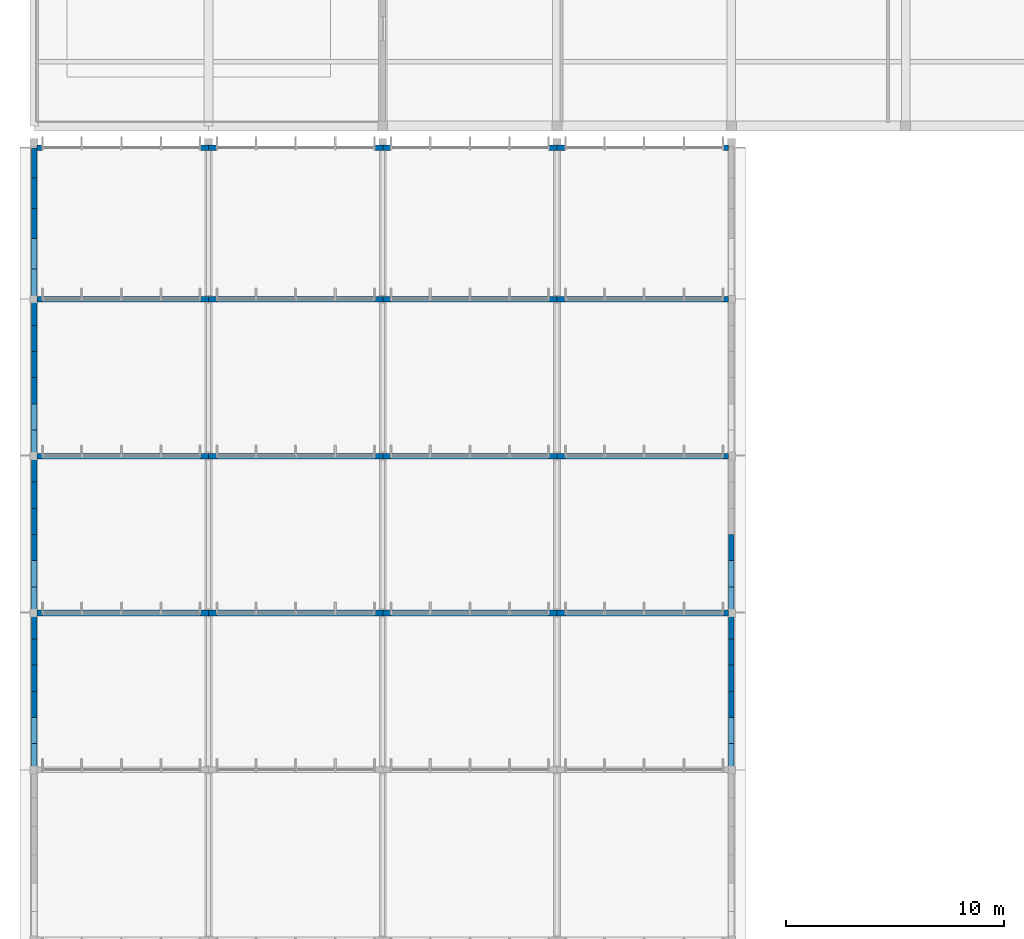
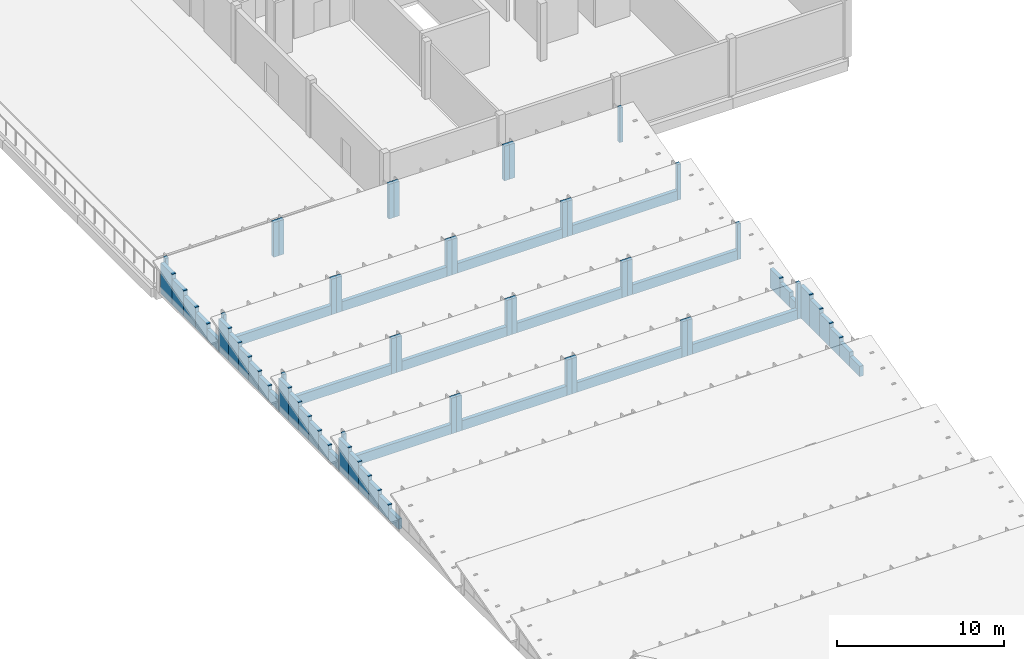
# One storey, part 83 of 94: 76 walls.
"""IFC4 building model written with IfcOpenShell, lengths in metres."""

from ifc_helpers import new_model, si_unit, direction, frame, frame_2d, origin, place, context, subcontext, project, spatial, rectangle, extrude, material, layer, layer_set, type_object, element, save


model = new_model("IFC4")

# Units and contexts
model_context = context("Model", 3, precision=1e-05, world=origin(), true_north=direction((0.0, 1.0)))
body_context = subcontext(model_context, "Body", "Model", "MODEL_VIEW")
ifc_project = project(units=[si_unit("LENGTHUNIT", "METRE"), si_unit("AREAUNIT", "SQUARE_METRE"), si_unit("VOLUMEUNIT", "CUBIC_METRE"), si_unit("PLANEANGLEUNIT", "RADIAN"), si_unit("MASSUNIT", "GRAM", prefix="KILO")], contexts=[model_context])

# Site, building, storey
site_placement = place(None, origin())
site = spatial("IfcSite", under=ifc_project, at=site_placement, CompositionType="ELEMENT")
building_placement = place(site_placement, origin())
building = spatial("IfcBuilding", under=site, at=building_placement, Name="Chiffa Square Polytechnic", CompositionType="ELEMENT")
storey_placement = place(building_placement, frame((0.0, 0.0, 18.0)))
storey = spatial("IfcBuildingStorey", under=building, at=storey_placement, Name="L04", CompositionType="ELEMENT", Elevation=18.0)

# Walls
ifc_material = material(Name="Precast concrete C40/50", Category="concrete")
ifc_layer = layer(ifc_material, 0.260009765625, Name="Precast concrete C40/50")
ifc_layer_set = layer_set([ifc_layer], Name="Precast concrete C40/50")
wall_type = type_object("IfcWallType", Name="WL-EXT-PC260", PredefinedType="SOLIDWALL", material=ifc_layer_set)
wall_1_placement = place(storey_placement, frame((8.0, 72.60009765625, 0.0), z_axis=(0.0, 0.0, 1.0), x_axis=(-1.0, 0.0, 0.0)))
element("IfcWall", 1, at=wall_1_placement, inside=storey, type_object=wall_type, Name="Sawtooth monitor pier WE-V6-SAW5-P1L", PredefinedType="SOLIDWALL", context=body_context, shape_type="SweptSolid", body=[
    extrude(rectangle(XDim=0.360107421875, YDim=0.260009765625, at=frame_2d((0.18017578125, 0.0))), origin(), (0.0, 0.0, 1.0), 2.60888671875),
])
wall_2_placement = place(storey_placement, frame((0.360107421875, 72.60009765625, 0.0), z_axis=(0.0, 0.0, 1.0), x_axis=(-1.0, 0.0, 0.0)))
element("IfcWall", 2, at=wall_2_placement, inside=storey, type_object=wall_type, Name="Sawtooth monitor pier WE-V6-SAW5-P1R", PredefinedType="SOLIDWALL", context=body_context, shape_type="SweptSolid", body=[
    extrude(rectangle(XDim=0.22802734375, YDim=0.260009765625, at=frame_2d((0.114013671875, 0.0))), origin(), (0.0, 0.0, 1.0), 2.60888671875),
])
wall_3_placement = place(storey_placement, frame((0.360107421875, 72.60009765625, 0.0), z_axis=(0.0, 0.0, 1.0), x_axis=(1.0, 0.0, 0.0)))
element("IfcWall", 3, at=wall_3_placement, inside=storey, type_object=wall_type, Name="Sawtooth valley spandrel WE-V6-SAW5-SP1", PredefinedType="SOLIDWALL", context=body_context, shape_type="SweptSolid", body=[
    extrude(rectangle(XDim=7.27978515625, YDim=0.260009765625, at=frame_2d((3.639892578125, 0.0))), origin(), (0.0, 0.0, 1.0), 0.699951171875),
])
for number, where, z_axis, x_axis, name in (
    (4, (16.0, 72.60009765625, 0.0), (0.0, 0.0, 1.0), (-1.0, 0.0, 0.0), "Sawtooth monitor pier WE-V6-SAW5-P2L"),
    (5, (8.360107421875, 72.60009765625, 0.0), (0.0, 0.0, 1.0), (-1.0, 0.0, 0.0), "Sawtooth monitor pier WE-V6-SAW5-P2R"),
):
    element("IfcWall", number, at=place(storey_placement, frame(where, z_axis=z_axis, x_axis=x_axis)), inside=storey, type_object=wall_type, Name=name, PredefinedType="SOLIDWALL", context=body_context, shape_type="SweptSolid", body=[
        extrude(rectangle(XDim=0.360107421875, YDim=0.260009765625, at=frame_2d((0.18017578125, 0.0))), origin(), (0.0, 0.0, 1.0), 2.60888671875),
    ])
wall_4_placement = place(storey_placement, frame((8.360107421875, 72.60009765625, 0.0), z_axis=(0.0, 0.0, 1.0), x_axis=(1.0, 0.0, 0.0)))
element("IfcWall", 6, at=wall_4_placement, inside=storey, type_object=wall_type, Name="Sawtooth valley spandrel WE-V6-SAW5-SP2", PredefinedType="SOLIDWALL", context=body_context, shape_type="SweptSolid", body=[
    extrude(rectangle(XDim=7.27978515625, YDim=0.260009765625, at=frame_2d((3.639892578125, 0.0))), origin(), (0.0, 0.0, 1.0), 0.699951171875),
])
for number, where, z_axis, x_axis, name in (
    (7, (24.0, 72.60009765625, 0.0), (0.0, 0.0, 1.0), (-1.0, 0.0, 0.0), "Sawtooth monitor pier WE-V6-SAW5-P3L"),
    (8, (16.360107421875, 72.60009765625, 0.0), (0.0, 0.0, 1.0), (-1.0, 0.0, 0.0), "Sawtooth monitor pier WE-V6-SAW5-P3R"),
):
    element("IfcWall", number, at=place(storey_placement, frame(where, z_axis=z_axis, x_axis=x_axis)), inside=storey, type_object=wall_type, Name=name, PredefinedType="SOLIDWALL", context=body_context, shape_type="SweptSolid", body=[
        extrude(rectangle(XDim=0.360107421875, YDim=0.260009765625, at=frame_2d((0.18017578125, 0.0))), origin(), (0.0, 0.0, 1.0), 2.60888671875),
    ])
wall_5_placement = place(storey_placement, frame((16.360107421875, 72.60009765625, 0.0), z_axis=(0.0, 0.0, 1.0), x_axis=(1.0, 0.0, 0.0)))
element("IfcWall", 9, at=wall_5_placement, inside=storey, type_object=wall_type, Name="Sawtooth valley spandrel WE-V6-SAW5-SP3", PredefinedType="SOLIDWALL", context=body_context, shape_type="SweptSolid", body=[
    extrude(rectangle(XDim=7.27978515625, YDim=0.260009765625, at=frame_2d((3.639892578125, 0.0))), origin(), (0.0, 0.0, 1.0), 0.699951171875),
])
wall_6_placement = place(storey_placement, frame((31.867919921875, 72.60009765625, 0.0), z_axis=(0.0, 0.0, 1.0), x_axis=(-1.0, 0.0, 0.0)))
element("IfcWall", 10, at=wall_6_placement, inside=storey, type_object=wall_type, Name="Sawtooth monitor pier WE-V6-SAW5-P4L", PredefinedType="SOLIDWALL", context=body_context, shape_type="SweptSolid", body=[
    extrude(rectangle(XDim=0.22802734375, YDim=0.260009765625, at=frame_2d((0.114013671875, 0.0))), origin(), (0.0, 0.0, 1.0), 2.60888671875),
])
wall_7_placement = place(storey_placement, frame((24.360107421875, 72.60009765625, 0.0), z_axis=(0.0, 0.0, 1.0), x_axis=(-1.0, 0.0, 0.0)))
element("IfcWall", 11, at=wall_7_placement, inside=storey, type_object=wall_type, Name="Sawtooth monitor pier WE-V6-SAW5-P4R", PredefinedType="SOLIDWALL", context=body_context, shape_type="SweptSolid", body=[
    extrude(rectangle(XDim=0.360107421875, YDim=0.260009765625, at=frame_2d((0.18017578125, 0.0))), origin(), (0.0, 0.0, 1.0), 2.60888671875),
])
wall_8_placement = place(storey_placement, frame((24.360107421875, 72.60009765625, 0.0), z_axis=(0.0, 0.0, 1.0), x_axis=(1.0, 0.0, 0.0)))
element("IfcWall", 12, at=wall_8_placement, inside=storey, type_object=wall_type, Name="Sawtooth valley spandrel WE-V6-SAW5-SP4", PredefinedType="SOLIDWALL", context=body_context, shape_type="SweptSolid", body=[
    extrude(rectangle(XDim=7.27978515625, YDim=0.260009765625, at=frame_2d((3.639892578125, 0.0))), origin(), (0.0, 0.0, 1.0), 0.699951171875),
])
wall_9_placement = place(storey_placement, frame((0.0, 65.39990234375, 0.0), z_axis=(0.0, 0.0, 1.0), x_axis=(0.0, 1.0, 0.0)))
element("IfcWall", 13, at=wall_9_placement, inside=storey, type_object=wall_type, Name="Stepped gable infill wall WE-V6-SAWW-05-01", PredefinedType="SOLIDWALL", context=body_context, shape_type="SweptSolid", body=[
    extrude(rectangle(XDim=1.2001953125, YDim=0.260009765625, at=frame_2d((0.60009765625, 0.0))), origin(), (0.0, 0.0, 1.0), 0.748046875),
])
wall_10_placement = place(storey_placement, frame((0.0, 66.60009765625, 0.0), z_axis=(0.0, 0.0, 1.0), x_axis=(0.0, 1.0, 0.0)))
element("IfcWall", 14, at=wall_10_placement, inside=storey, type_object=wall_type, Name="Stepped gable infill wall WE-V6-SAWW-05-02", PredefinedType="SOLIDWALL", context=body_context, shape_type="SweptSolid", body=[
    extrude(rectangle(XDim=1.199951171875, YDim=0.260009765625, at=frame_2d((0.60009765625, 0.0))), origin(), (0.0, 0.0, 1.0), 1.070068359375),
])
wall_11_placement = place(storey_placement, frame((0.0, 67.800048828125, 0.0), z_axis=(0.0, 0.0, 1.0), x_axis=(0.0, 1.0, 0.0)))
element("IfcWall", 15, at=wall_11_placement, inside=storey, type_object=wall_type, Name="Stepped gable infill wall WE-V6-SAWW-05-03", PredefinedType="SOLIDWALL", context=body_context, shape_type="SweptSolid", body=[
    extrude(rectangle(XDim=1.199951171875, YDim=0.260009765625, at=frame_2d((0.60009765625, 0.0))), origin(), (0.0, 0.0, 1.0), 1.39111328125),
])
wall_12_placement = place(storey_placement, frame((0.0, 69.0, 0.0), z_axis=(0.0, 0.0, 1.0), x_axis=(0.0, 1.0, 0.0)))
element("IfcWall", 16, at=wall_12_placement, inside=storey, type_object=wall_type, Name="Stepped gable infill wall WE-V6-SAWW-05-04", PredefinedType="SOLIDWALL", context=body_context, shape_type="SweptSolid", body=[
    extrude(rectangle(XDim=1.199951171875, YDim=0.260009765625, at=frame_2d((0.60009765625, 0.0))), origin(), (0.0, 0.0, 1.0), 1.712890625),
])
wall_13_placement = place(storey_placement, frame((0.0, 70.199951171875, 0.0), z_axis=(0.0, 0.0, 1.0), x_axis=(0.0, 1.0, 0.0)))
element("IfcWall", 17, at=wall_13_placement, inside=storey, type_object=wall_type, Name="Stepped gable infill wall WE-V6-SAWW-05-05", PredefinedType="SOLIDWALL", context=body_context, shape_type="SweptSolid", body=[
    extrude(rectangle(XDim=1.199951171875, YDim=0.260009765625, at=frame_2d((0.60009765625, 0.0))), origin(), (0.0, 0.0, 1.0), 2.033935546875),
])
wall_14_placement = place(storey_placement, frame((0.0, 71.39990234375, 0.0), z_axis=(0.0, 0.0, 1.0), x_axis=(0.0, 1.0, 0.0)))
element("IfcWall", 18, at=wall_14_placement, inside=storey, type_object=wall_type, Name="Stepped gable infill wall WE-V6-SAWW-05-06", PredefinedType="SOLIDWALL", context=body_context, shape_type="SweptSolid", body=[
    extrude(rectangle(XDim=1.2001953125, YDim=0.260009765625, at=frame_2d((0.60009765625, 0.0))), origin(), (0.0, 0.0, 1.0), 2.35595703125),
])
wall_15_placement = place(storey_placement, frame((32.0, 65.39990234375, 0.0), z_axis=(0.0, 0.0, 1.0), x_axis=(0.0, 1.0, 0.0)))
element("IfcWall", 19, at=wall_15_placement, inside=storey, type_object=wall_type, Name="Stepped gable infill wall WE-V6-SAWE-05-01", PredefinedType="SOLIDWALL", context=body_context, shape_type="SweptSolid", body=[
    extrude(rectangle(XDim=1.2001953125, YDim=0.260009765625, at=frame_2d((0.60009765625, 0.0))), origin(), (0.0, 0.0, 1.0), 0.748046875),
])
wall_16_placement = place(storey_placement, frame((32.0, 66.60009765625, 0.0), z_axis=(0.0, 0.0, 1.0), x_axis=(0.0, 1.0, 0.0)))
element("IfcWall", 20, at=wall_16_placement, inside=storey, type_object=wall_type, Name="Stepped gable infill wall WE-V6-SAWE-05-02", PredefinedType="SOLIDWALL", context=body_context, shape_type="SweptSolid", body=[
    extrude(rectangle(XDim=1.199951171875, YDim=0.260009765625, at=frame_2d((0.60009765625, 0.0))), origin(), (0.0, 0.0, 1.0), 1.070068359375),
])
wall_17_placement = place(storey_placement, frame((32.0, 67.800048828125, 0.0), z_axis=(0.0, 0.0, 1.0), x_axis=(0.0, 1.0, 0.0)))
element("IfcWall", 21, at=wall_17_placement, inside=storey, type_object=wall_type, Name="Stepped gable infill wall WE-V6-SAWE-05-03", PredefinedType="SOLIDWALL", context=body_context, shape_type="SweptSolid", body=[
    extrude(rectangle(XDim=1.199951171875, YDim=0.260009765625, at=frame_2d((0.60009765625, 0.0))), origin(), (0.0, 0.0, 1.0), 1.39111328125),
])
wall_18_placement = place(storey_placement, frame((32.0, 69.0, 0.0), z_axis=(0.0, 0.0, 1.0), x_axis=(0.0, 1.0, 0.0)))
element("IfcWall", 22, at=wall_18_placement, inside=storey, type_object=wall_type, Name="Stepped gable infill wall WE-V6-SAWE-05-04", PredefinedType="SOLIDWALL", context=body_context, shape_type="SweptSolid", body=[
    extrude(rectangle(XDim=1.199951171875, YDim=0.260009765625, at=frame_2d((0.60009765625, 0.0))), origin(), (0.0, 0.0, 1.0), 1.712890625),
])
wall_19_placement = place(storey_placement, frame((32.0, 70.199951171875, 0.0), z_axis=(0.0, 0.0, 1.0), x_axis=(0.0, 1.0, 0.0)))
element("IfcWall", 23, at=wall_19_placement, inside=storey, type_object=wall_type, Name="Stepped gable infill wall WE-V6-SAWE-05-05", PredefinedType="SOLIDWALL", context=body_context, shape_type="SweptSolid", body=[
    extrude(rectangle(XDim=1.199951171875, YDim=0.260009765625, at=frame_2d((0.60009765625, 0.0))), origin(), (0.0, 0.0, 1.0), 2.033935546875),
])
wall_20_placement = place(storey_placement, frame((32.0, 71.39990234375, 0.0), z_axis=(0.0, 0.0, 1.0), x_axis=(0.0, 1.0, 0.0)))
element("IfcWall", 24, at=wall_20_placement, inside=storey, type_object=wall_type, Name="Stepped gable infill wall WE-V6-SAWE-05-06", PredefinedType="SOLIDWALL", context=body_context, shape_type="SweptSolid", body=[
    extrude(rectangle(XDim=1.2001953125, YDim=0.260009765625, at=frame_2d((0.60009765625, 0.0))), origin(), (0.0, 0.0, 1.0), 2.35595703125),
])
wall_21_placement = place(storey_placement, frame((8.0, 79.800048828125, 0.0), z_axis=(0.0, 0.0, 1.0), x_axis=(-1.0, 0.0, 0.0)))
element("IfcWall", 25, at=wall_21_placement, inside=storey, type_object=wall_type, Name="Sawtooth monitor pier WE-V6-SAW6-P1L", PredefinedType="SOLIDWALL", context=body_context, shape_type="SweptSolid", body=[
    extrude(rectangle(XDim=0.360107421875, YDim=0.260009765625, at=frame_2d((0.18017578125, 0.0))), origin(), (0.0, 0.0, 1.0), 2.60888671875),
])
wall_22_placement = place(storey_placement, frame((0.360107421875, 79.800048828125, 0.0), z_axis=(0.0, 0.0, 1.0), x_axis=(-1.0, 0.0, 0.0)))
element("IfcWall", 26, at=wall_22_placement, inside=storey, type_object=wall_type, Name="Sawtooth monitor pier WE-V6-SAW6-P1R", PredefinedType="SOLIDWALL", context=body_context, shape_type="SweptSolid", body=[
    extrude(rectangle(XDim=0.22802734375, YDim=0.260009765625, at=frame_2d((0.114013671875, 0.0))), origin(), (0.0, 0.0, 1.0), 2.60888671875),
])
wall_23_placement = place(storey_placement, frame((0.360107421875, 79.800048828125, 0.0), z_axis=(0.0, 0.0, 1.0), x_axis=(1.0, 0.0, 0.0)))
element("IfcWall", 27, at=wall_23_placement, inside=storey, type_object=wall_type, Name="Sawtooth valley spandrel WE-V6-SAW6-SP1", PredefinedType="SOLIDWALL", context=body_context, shape_type="SweptSolid", body=[
    extrude(rectangle(XDim=7.27978515625, YDim=0.260009765625, at=frame_2d((3.639892578125, 0.0))), origin(), (0.0, 0.0, 1.0), 0.699951171875),
])
for number, where, z_axis, x_axis, name in (
    (28, (16.0, 79.800048828125, 0.0), (0.0, 0.0, 1.0), (-1.0, 0.0, 0.0), "Sawtooth monitor pier WE-V6-SAW6-P2L"),
    (29, (8.360107421875, 79.800048828125, 0.0), (0.0, 0.0, 1.0), (-1.0, 0.0, 0.0), "Sawtooth monitor pier WE-V6-SAW6-P2R"),
):
    element("IfcWall", number, at=place(storey_placement, frame(where, z_axis=z_axis, x_axis=x_axis)), inside=storey, type_object=wall_type, Name=name, PredefinedType="SOLIDWALL", context=body_context, shape_type="SweptSolid", body=[
        extrude(rectangle(XDim=0.360107421875, YDim=0.260009765625, at=frame_2d((0.18017578125, 0.0))), origin(), (0.0, 0.0, 1.0), 2.60888671875),
    ])
wall_24_placement = place(storey_placement, frame((8.360107421875, 79.800048828125, 0.0), z_axis=(0.0, 0.0, 1.0), x_axis=(1.0, 0.0, 0.0)))
element("IfcWall", 30, at=wall_24_placement, inside=storey, type_object=wall_type, Name="Sawtooth valley spandrel WE-V6-SAW6-SP2", PredefinedType="SOLIDWALL", context=body_context, shape_type="SweptSolid", body=[
    extrude(rectangle(XDim=7.27978515625, YDim=0.260009765625, at=frame_2d((3.639892578125, 0.0))), origin(), (0.0, 0.0, 1.0), 0.699951171875),
])
for number, where, z_axis, x_axis, name in (
    (31, (24.0, 79.800048828125, 0.0), (0.0, 0.0, 1.0), (-1.0, 0.0, 0.0), "Sawtooth monitor pier WE-V6-SAW6-P3L"),
    (32, (16.360107421875, 79.800048828125, 0.0), (0.0, 0.0, 1.0), (-1.0, 0.0, 0.0), "Sawtooth monitor pier WE-V6-SAW6-P3R"),
):
    element("IfcWall", number, at=place(storey_placement, frame(where, z_axis=z_axis, x_axis=x_axis)), inside=storey, type_object=wall_type, Name=name, PredefinedType="SOLIDWALL", context=body_context, shape_type="SweptSolid", body=[
        extrude(rectangle(XDim=0.360107421875, YDim=0.260009765625, at=frame_2d((0.18017578125, 0.0))), origin(), (0.0, 0.0, 1.0), 2.60888671875),
    ])
wall_25_placement = place(storey_placement, frame((16.360107421875, 79.800048828125, 0.0), z_axis=(0.0, 0.0, 1.0), x_axis=(1.0, 0.0, 0.0)))
element("IfcWall", 33, at=wall_25_placement, inside=storey, type_object=wall_type, Name="Sawtooth valley spandrel WE-V6-SAW6-SP3", PredefinedType="SOLIDWALL", context=body_context, shape_type="SweptSolid", body=[
    extrude(rectangle(XDim=7.27978515625, YDim=0.260009765625, at=frame_2d((3.639892578125, 0.0))), origin(), (0.0, 0.0, 1.0), 0.699951171875),
])
wall_26_placement = place(storey_placement, frame((31.867919921875, 79.800048828125, 0.0), z_axis=(0.0, 0.0, 1.0), x_axis=(-1.0, 0.0, 0.0)))
element("IfcWall", 34, at=wall_26_placement, inside=storey, type_object=wall_type, Name="Sawtooth monitor pier WE-V6-SAW6-P4L", PredefinedType="SOLIDWALL", context=body_context, shape_type="SweptSolid", body=[
    extrude(rectangle(XDim=0.22802734375, YDim=0.260009765625, at=frame_2d((0.114013671875, 0.0))), origin(), (0.0, 0.0, 1.0), 2.60888671875),
])
wall_27_placement = place(storey_placement, frame((24.360107421875, 79.800048828125, 0.0), z_axis=(0.0, 0.0, 1.0), x_axis=(-1.0, 0.0, 0.0)))
element("IfcWall", 35, at=wall_27_placement, inside=storey, type_object=wall_type, Name="Sawtooth monitor pier WE-V6-SAW6-P4R", PredefinedType="SOLIDWALL", context=body_context, shape_type="SweptSolid", body=[
    extrude(rectangle(XDim=0.360107421875, YDim=0.260009765625, at=frame_2d((0.18017578125, 0.0))), origin(), (0.0, 0.0, 1.0), 2.60888671875),
])
wall_28_placement = place(storey_placement, frame((24.360107421875, 79.800048828125, 0.0), z_axis=(0.0, 0.0, 1.0), x_axis=(1.0, 0.0, 0.0)))
element("IfcWall", 36, at=wall_28_placement, inside=storey, type_object=wall_type, Name="Sawtooth valley spandrel WE-V6-SAW6-SP4", PredefinedType="SOLIDWALL", context=body_context, shape_type="SweptSolid", body=[
    extrude(rectangle(XDim=7.27978515625, YDim=0.260009765625, at=frame_2d((3.639892578125, 0.0))), origin(), (0.0, 0.0, 1.0), 0.699951171875),
])
wall_29_placement = place(storey_placement, frame((0.0, 72.60009765625, 0.0), z_axis=(0.0, 0.0, 1.0), x_axis=(0.0, 1.0, 0.0)))
element("IfcWall", 37, at=wall_29_placement, inside=storey, type_object=wall_type, Name="Stepped gable infill wall WE-V6-SAWW-06-01", PredefinedType="SOLIDWALL", context=body_context, shape_type="SweptSolid", body=[
    extrude(rectangle(XDim=1.199951171875, YDim=0.260009765625, at=frame_2d((0.60009765625, 0.0))), origin(), (0.0, 0.0, 1.0), 0.748046875),
])
wall_30_placement = place(storey_placement, frame((0.0, 73.800048828125, 0.0), z_axis=(0.0, 0.0, 1.0), x_axis=(0.0, 1.0, 0.0)))
element("IfcWall", 38, at=wall_30_placement, inside=storey, type_object=wall_type, Name="Stepped gable infill wall WE-V6-SAWW-06-02", PredefinedType="SOLIDWALL", context=body_context, shape_type="SweptSolid", body=[
    extrude(rectangle(XDim=1.199951171875, YDim=0.260009765625, at=frame_2d((0.60009765625, 0.0))), origin(), (0.0, 0.0, 1.0), 1.070068359375),
])
wall_31_placement = place(storey_placement, frame((0.0, 75.0, 0.0), z_axis=(0.0, 0.0, 1.0), x_axis=(0.0, 1.0, 0.0)))
element("IfcWall", 39, at=wall_31_placement, inside=storey, type_object=wall_type, Name="Stepped gable infill wall WE-V6-SAWW-06-03", PredefinedType="SOLIDWALL", context=body_context, shape_type="SweptSolid", body=[
    extrude(rectangle(XDim=1.199951171875, YDim=0.260009765625, at=frame_2d((0.60009765625, 0.0))), origin(), (0.0, 0.0, 1.0), 1.39111328125),
])
wall_32_placement = place(storey_placement, frame((0.0, 76.199951171875, 0.0), z_axis=(0.0, 0.0, 1.0), x_axis=(0.0, 1.0, 0.0)))
element("IfcWall", 40, at=wall_32_placement, inside=storey, type_object=wall_type, Name="Stepped gable infill wall WE-V6-SAWW-06-04", PredefinedType="SOLIDWALL", context=body_context, shape_type="SweptSolid", body=[
    extrude(rectangle(XDim=1.199951171875, YDim=0.260009765625, at=frame_2d((0.60009765625, 0.0))), origin(), (0.0, 0.0, 1.0), 1.712890625),
])
wall_33_placement = place(storey_placement, frame((0.0, 77.39990234375, 0.0), z_axis=(0.0, 0.0, 1.0), x_axis=(0.0, 1.0, 0.0)))
element("IfcWall", 41, at=wall_33_placement, inside=storey, type_object=wall_type, Name="Stepped gable infill wall WE-V6-SAWW-06-05", PredefinedType="SOLIDWALL", context=body_context, shape_type="SweptSolid", body=[
    extrude(rectangle(XDim=1.2001953125, YDim=0.260009765625, at=frame_2d((0.60009765625, 0.0))), origin(), (0.0, 0.0, 1.0), 2.033935546875),
])
wall_34_placement = place(storey_placement, frame((0.0, 78.60009765625, 0.0), z_axis=(0.0, 0.0, 1.0), x_axis=(0.0, 1.0, 0.0)))
element("IfcWall", 42, at=wall_34_placement, inside=storey, type_object=wall_type, Name="Stepped gable infill wall WE-V6-SAWW-06-06", PredefinedType="SOLIDWALL", context=body_context, shape_type="SweptSolid", body=[
    extrude(rectangle(XDim=1.199951171875, YDim=0.260009765625, at=frame_2d((0.60009765625, 0.0))), origin(), (0.0, 0.0, 1.0), 2.35595703125),
])
wall_35_placement = place(storey_placement, frame((32.0, 72.60009765625, 0.0), z_axis=(0.0, 0.0, 1.0), x_axis=(0.0, 1.0, 0.0)))
element("IfcWall", 43, at=wall_35_placement, inside=storey, type_object=wall_type, Name="Stepped gable infill wall WE-V6-SAWE-06-01", PredefinedType="SOLIDWALL", context=body_context, shape_type="SweptSolid", body=[
    extrude(rectangle(XDim=1.199951171875, YDim=0.260009765625, at=frame_2d((0.60009765625, 0.0))), origin(), (0.0, 0.0, 1.0), 0.748046875),
])
wall_36_placement = place(storey_placement, frame((32.0, 73.800048828125, 0.0), z_axis=(0.0, 0.0, 1.0), x_axis=(0.0, 1.0, 0.0)))
element("IfcWall", 44, at=wall_36_placement, inside=storey, type_object=wall_type, Name="Stepped gable infill wall WE-V6-SAWE-06-02", PredefinedType="SOLIDWALL", context=body_context, shape_type="SweptSolid", body=[
    extrude(rectangle(XDim=1.199951171875, YDim=0.260009765625, at=frame_2d((0.60009765625, 0.0))), origin(), (0.0, 0.0, 1.0), 1.070068359375),
])
wall_37_placement = place(storey_placement, frame((32.0, 75.0, 0.0), z_axis=(0.0, 0.0, 1.0), x_axis=(0.0, 1.0, 0.0)))
element("IfcWall", 45, at=wall_37_placement, inside=storey, type_object=wall_type, Name="Stepped gable infill wall WE-V6-SAWE-06-03", PredefinedType="SOLIDWALL", context=body_context, shape_type="SweptSolid", body=[
    extrude(rectangle(XDim=1.199951171875, YDim=0.260009765625, at=frame_2d((0.60009765625, 0.0))), origin(), (0.0, 0.0, 1.0), 1.39111328125),
])
wall_38_placement = place(storey_placement, frame((8.0, 87.0, 0.0), z_axis=(0.0, 0.0, 1.0), x_axis=(-1.0, 0.0, 0.0)))
element("IfcWall", 46, at=wall_38_placement, inside=storey, type_object=wall_type, Name="Sawtooth monitor pier WE-V6-SAW7-P1L", PredefinedType="SOLIDWALL", context=body_context, shape_type="SweptSolid", body=[
    extrude(rectangle(XDim=0.360107421875, YDim=0.260009765625, at=frame_2d((0.18017578125, 0.0))), origin(), (0.0, 0.0, 1.0), 2.60888671875),
])
wall_39_placement = place(storey_placement, frame((0.360107421875, 87.0, 0.0), z_axis=(0.0, 0.0, 1.0), x_axis=(-1.0, 0.0, 0.0)))
element("IfcWall", 47, at=wall_39_placement, inside=storey, type_object=wall_type, Name="Sawtooth monitor pier WE-V6-SAW7-P1R", PredefinedType="SOLIDWALL", context=body_context, shape_type="SweptSolid", body=[
    extrude(rectangle(XDim=0.22802734375, YDim=0.260009765625, at=frame_2d((0.114013671875, 0.0))), origin(), (0.0, 0.0, 1.0), 2.60888671875),
])
wall_40_placement = place(storey_placement, frame((0.360107421875, 87.0, 0.0), z_axis=(0.0, 0.0, 1.0), x_axis=(1.0, 0.0, 0.0)))
element("IfcWall", 48, at=wall_40_placement, inside=storey, type_object=wall_type, Name="Sawtooth valley spandrel WE-V6-SAW7-SP1", PredefinedType="SOLIDWALL", context=body_context, shape_type="SweptSolid", body=[
    extrude(rectangle(XDim=7.27978515625, YDim=0.260009765625, at=frame_2d((3.639892578125, 0.0))), origin(), (0.0, 0.0, 1.0), 0.699951171875),
])
for number, where, z_axis, x_axis, name in (
    (49, (16.0, 87.0, 0.0), (0.0, 0.0, 1.0), (-1.0, 0.0, 0.0), "Sawtooth monitor pier WE-V6-SAW7-P2L"),
    (50, (8.360107421875, 87.0, 0.0), (0.0, 0.0, 1.0), (-1.0, 0.0, 0.0), "Sawtooth monitor pier WE-V6-SAW7-P2R"),
):
    element("IfcWall", number, at=place(storey_placement, frame(where, z_axis=z_axis, x_axis=x_axis)), inside=storey, type_object=wall_type, Name=name, PredefinedType="SOLIDWALL", context=body_context, shape_type="SweptSolid", body=[
        extrude(rectangle(XDim=0.360107421875, YDim=0.260009765625, at=frame_2d((0.18017578125, 0.0))), origin(), (0.0, 0.0, 1.0), 2.60888671875),
    ])
wall_41_placement = place(storey_placement, frame((8.360107421875, 87.0, 0.0), z_axis=(0.0, 0.0, 1.0), x_axis=(1.0, 0.0, 0.0)))
element("IfcWall", 51, at=wall_41_placement, inside=storey, type_object=wall_type, Name="Sawtooth valley spandrel WE-V6-SAW7-SP2", PredefinedType="SOLIDWALL", context=body_context, shape_type="SweptSolid", body=[
    extrude(rectangle(XDim=7.27978515625, YDim=0.260009765625, at=frame_2d((3.639892578125, 0.0))), origin(), (0.0, 0.0, 1.0), 0.699951171875),
])
for number, where, z_axis, x_axis, name in (
    (52, (24.0, 87.0, 0.0), (0.0, 0.0, 1.0), (-1.0, 0.0, 0.0), "Sawtooth monitor pier WE-V6-SAW7-P3L"),
    (53, (16.360107421875, 87.0, 0.0), (0.0, 0.0, 1.0), (-1.0, 0.0, 0.0), "Sawtooth monitor pier WE-V6-SAW7-P3R"),
):
    element("IfcWall", number, at=place(storey_placement, frame(where, z_axis=z_axis, x_axis=x_axis)), inside=storey, type_object=wall_type, Name=name, PredefinedType="SOLIDWALL", context=body_context, shape_type="SweptSolid", body=[
        extrude(rectangle(XDim=0.360107421875, YDim=0.260009765625, at=frame_2d((0.18017578125, 0.0))), origin(), (0.0, 0.0, 1.0), 2.60888671875),
    ])
wall_42_placement = place(storey_placement, frame((16.360107421875, 87.0, 0.0), z_axis=(0.0, 0.0, 1.0), x_axis=(1.0, 0.0, 0.0)))
element("IfcWall", 54, at=wall_42_placement, inside=storey, type_object=wall_type, Name="Sawtooth valley spandrel WE-V6-SAW7-SP3", PredefinedType="SOLIDWALL", context=body_context, shape_type="SweptSolid", body=[
    extrude(rectangle(XDim=7.27978515625, YDim=0.260009765625, at=frame_2d((3.639892578125, 0.0))), origin(), (0.0, 0.0, 1.0), 0.699951171875),
])
wall_43_placement = place(storey_placement, frame((31.867919921875, 87.0, 0.0), z_axis=(0.0, 0.0, 1.0), x_axis=(-1.0, 0.0, 0.0)))
element("IfcWall", 55, at=wall_43_placement, inside=storey, type_object=wall_type, Name="Sawtooth monitor pier WE-V6-SAW7-P4L", PredefinedType="SOLIDWALL", context=body_context, shape_type="SweptSolid", body=[
    extrude(rectangle(XDim=0.22802734375, YDim=0.260009765625, at=frame_2d((0.114013671875, 0.0))), origin(), (0.0, 0.0, 1.0), 2.60888671875),
])
wall_44_placement = place(storey_placement, frame((24.360107421875, 87.0, 0.0), z_axis=(0.0, 0.0, 1.0), x_axis=(-1.0, 0.0, 0.0)))
element("IfcWall", 56, at=wall_44_placement, inside=storey, type_object=wall_type, Name="Sawtooth monitor pier WE-V6-SAW7-P4R", PredefinedType="SOLIDWALL", context=body_context, shape_type="SweptSolid", body=[
    extrude(rectangle(XDim=0.360107421875, YDim=0.260009765625, at=frame_2d((0.18017578125, 0.0))), origin(), (0.0, 0.0, 1.0), 2.60888671875),
])
wall_45_placement = place(storey_placement, frame((24.360107421875, 87.0, 0.0), z_axis=(0.0, 0.0, 1.0), x_axis=(1.0, 0.0, 0.0)))
element("IfcWall", 57, at=wall_45_placement, inside=storey, type_object=wall_type, Name="Sawtooth valley spandrel WE-V6-SAW7-SP4", PredefinedType="SOLIDWALL", context=body_context, shape_type="SweptSolid", body=[
    extrude(rectangle(XDim=7.27978515625, YDim=0.260009765625, at=frame_2d((3.639892578125, 0.0))), origin(), (0.0, 0.0, 1.0), 0.699951171875),
])
wall_46_placement = place(storey_placement, frame((0.0, 79.800048828125, 0.0), z_axis=(0.0, 0.0, 1.0), x_axis=(0.0, 1.0, 0.0)))
element("IfcWall", 58, at=wall_46_placement, inside=storey, type_object=wall_type, Name="Stepped gable infill wall WE-V6-SAWW-07-01", PredefinedType="SOLIDWALL", context=body_context, shape_type="SweptSolid", body=[
    extrude(rectangle(XDim=1.199951171875, YDim=0.260009765625, at=frame_2d((0.60009765625, 0.0))), origin(), (0.0, 0.0, 1.0), 0.748046875),
])
wall_47_placement = place(storey_placement, frame((0.0, 81.0, 0.0), z_axis=(0.0, 0.0, 1.0), x_axis=(0.0, 1.0, 0.0)))
element("IfcWall", 59, at=wall_47_placement, inside=storey, type_object=wall_type, Name="Stepped gable infill wall WE-V6-SAWW-07-02", PredefinedType="SOLIDWALL", context=body_context, shape_type="SweptSolid", body=[
    extrude(rectangle(XDim=1.199951171875, YDim=0.260009765625, at=frame_2d((0.60009765625, 0.0))), origin(), (0.0, 0.0, 1.0), 1.070068359375),
])
wall_48_placement = place(storey_placement, frame((0.0, 82.199951171875, 0.0), z_axis=(0.0, 0.0, 1.0), x_axis=(0.0, 1.0, 0.0)))
element("IfcWall", 60, at=wall_48_placement, inside=storey, type_object=wall_type, Name="Stepped gable infill wall WE-V6-SAWW-07-03", PredefinedType="SOLIDWALL", context=body_context, shape_type="SweptSolid", body=[
    extrude(rectangle(XDim=1.199951171875, YDim=0.260009765625, at=frame_2d((0.60009765625, 0.0))), origin(), (0.0, 0.0, 1.0), 1.39111328125),
])
wall_49_placement = place(storey_placement, frame((0.0, 83.39990234375, 0.0), z_axis=(0.0, 0.0, 1.0), x_axis=(0.0, 1.0, 0.0)))
element("IfcWall", 61, at=wall_49_placement, inside=storey, type_object=wall_type, Name="Stepped gable infill wall WE-V6-SAWW-07-04", PredefinedType="SOLIDWALL", context=body_context, shape_type="SweptSolid", body=[
    extrude(rectangle(XDim=1.2001953125, YDim=0.260009765625, at=frame_2d((0.60009765625, 0.0))), origin(), (0.0, 0.0, 1.0), 1.712890625),
])
wall_50_placement = place(storey_placement, frame((0.0, 84.60009765625, 0.0), z_axis=(0.0, 0.0, 1.0), x_axis=(0.0, 1.0, 0.0)))
element("IfcWall", 62, at=wall_50_placement, inside=storey, type_object=wall_type, Name="Stepped gable infill wall WE-V6-SAWW-07-05", PredefinedType="SOLIDWALL", context=body_context, shape_type="SweptSolid", body=[
    extrude(rectangle(XDim=1.199951171875, YDim=0.260009765625, at=frame_2d((0.60009765625, 0.0))), origin(), (0.0, 0.0, 1.0), 2.033935546875),
])
wall_51_placement = place(storey_placement, frame((0.0, 85.800048828125, 0.0), z_axis=(0.0, 0.0, 1.0), x_axis=(0.0, 1.0, 0.0)))
element("IfcWall", 63, at=wall_51_placement, inside=storey, type_object=wall_type, Name="Stepped gable infill wall WE-V6-SAWW-07-06", PredefinedType="SOLIDWALL", context=body_context, shape_type="SweptSolid", body=[
    extrude(rectangle(XDim=1.199951171875, YDim=0.260009765625, at=frame_2d((0.60009765625, 0.0))), origin(), (0.0, 0.0, 1.0), 2.35595703125),
])
wall_52_placement = place(storey_placement, frame((8.0, 93.949951171875, 0.0), z_axis=(0.0, 0.0, 1.0), x_axis=(-1.0, 0.0, 0.0)))
element("IfcWall", 64, at=wall_52_placement, inside=storey, type_object=wall_type, Name="Sawtooth monitor pier WE-V6-SAW8-P1L", PredefinedType="SOLIDWALL", context=body_context, shape_type="SweptSolid", body=[
    extrude(rectangle(XDim=0.360107421875, YDim=0.260009765625, at=frame_2d((0.18017578125, 0.0))), origin(), (0.0, 0.0, 1.0), 2.5419921875),
])
wall_53_placement = place(storey_placement, frame((0.360107421875, 93.949951171875, 0.0), z_axis=(0.0, 0.0, 1.0), x_axis=(-1.0, 0.0, 0.0)))
element("IfcWall", 65, at=wall_53_placement, inside=storey, type_object=wall_type, Name="Sawtooth monitor pier WE-V6-SAW8-P1R", PredefinedType="SOLIDWALL", context=body_context, shape_type="SweptSolid", body=[
    extrude(rectangle(XDim=0.22802734375, YDim=0.260009765625, at=frame_2d((0.114013671875, 0.0))), origin(), (0.0, 0.0, 1.0), 2.5419921875),
])
for number, where, z_axis, x_axis, name in (
    (66, (16.0, 93.949951171875, 0.0), (0.0, 0.0, 1.0), (-1.0, 0.0, 0.0), "Sawtooth monitor pier WE-V6-SAW8-P2L"),
    (67, (8.360107421875, 93.949951171875, 0.0), (0.0, 0.0, 1.0), (-1.0, 0.0, 0.0), "Sawtooth monitor pier WE-V6-SAW8-P2R"),
    (68, (24.0, 93.949951171875, 0.0), (0.0, 0.0, 1.0), (-1.0, 0.0, 0.0), "Sawtooth monitor pier WE-V6-SAW8-P3L"),
    (69, (16.360107421875, 93.949951171875, 0.0), (0.0, 0.0, 1.0), (-1.0, 0.0, 0.0), "Sawtooth monitor pier WE-V6-SAW8-P3R"),
):
    element("IfcWall", number, at=place(storey_placement, frame(where, z_axis=z_axis, x_axis=x_axis)), inside=storey, type_object=wall_type, Name=name, PredefinedType="SOLIDWALL", context=body_context, shape_type="SweptSolid", body=[
        extrude(rectangle(XDim=0.360107421875, YDim=0.260009765625, at=frame_2d((0.18017578125, 0.0))), origin(), (0.0, 0.0, 1.0), 2.5419921875),
    ])
wall_54_placement = place(storey_placement, frame((31.867919921875, 93.949951171875, 0.0), z_axis=(0.0, 0.0, 1.0), x_axis=(-1.0, 0.0, 0.0)))
element("IfcWall", 70, at=wall_54_placement, inside=storey, type_object=wall_type, Name="Sawtooth monitor pier WE-V6-SAW8-P4L", PredefinedType="SOLIDWALL", context=body_context, shape_type="SweptSolid", body=[
    extrude(rectangle(XDim=0.22802734375, YDim=0.260009765625, at=frame_2d((0.114013671875, 0.0))), origin(), (0.0, 0.0, 1.0), 2.5419921875),
])
wall_55_placement = place(storey_placement, frame((24.360107421875, 93.949951171875, 0.0), z_axis=(0.0, 0.0, 1.0), x_axis=(-1.0, 0.0, 0.0)))
element("IfcWall", 71, at=wall_55_placement, inside=storey, type_object=wall_type, Name="Sawtooth monitor pier WE-V6-SAW8-P4R", PredefinedType="SOLIDWALL", context=body_context, shape_type="SweptSolid", body=[
    extrude(rectangle(XDim=0.360107421875, YDim=0.260009765625, at=frame_2d((0.18017578125, 0.0))), origin(), (0.0, 0.0, 1.0), 2.5419921875),
])
wall_56_placement = place(storey_placement, frame((0.0, 87.0, 0.0), z_axis=(0.0, 0.0, 1.0), x_axis=(0.0, 1.0, 0.0)))
element("IfcWall", 72, at=wall_56_placement, inside=storey, type_object=wall_type, Name="Stepped gable infill wall WE-V6-SAWW-08-01", PredefinedType="SOLIDWALL", context=body_context, shape_type="SweptSolid", body=[
    extrude(rectangle(XDim=1.389892578125, YDim=0.260009765625, at=frame_2d((0.69482421875, 0.0))), origin(), (0.0, 0.0, 1.0), 0.756103515625),
])
wall_57_placement = place(storey_placement, frame((0.0, 88.389892578125, 0.0), z_axis=(0.0, 0.0, 1.0), x_axis=(0.0, 1.0, 0.0)))
element("IfcWall", 73, at=wall_57_placement, inside=storey, type_object=wall_type, Name="Stepped gable infill wall WE-V6-SAWW-08-02", PredefinedType="SOLIDWALL", context=body_context, shape_type="SweptSolid", body=[
    extrude(rectangle(XDim=1.39013671875, YDim=0.260009765625, at=frame_2d((0.695068359375, 0.0))), origin(), (0.0, 0.0, 1.0), 1.1279296875),
])
wall_58_placement = place(storey_placement, frame((0.0, 89.780029296875, 0.0), z_axis=(0.0, 0.0, 1.0), x_axis=(0.0, 1.0, 0.0)))
element("IfcWall", 74, at=wall_58_placement, inside=storey, type_object=wall_type, Name="Stepped gable infill wall WE-V6-SAWW-08-03", PredefinedType="SOLIDWALL", context=body_context, shape_type="SweptSolid", body=[
    extrude(rectangle(XDim=1.389892578125, YDim=0.260009765625, at=frame_2d((0.69482421875, 0.0))), origin(), (0.0, 0.0, 1.0), 1.5009765625),
])
wall_59_placement = place(storey_placement, frame((0.0, 91.169921875, 0.0), z_axis=(0.0, 0.0, 1.0), x_axis=(0.0, 1.0, 0.0)))
element("IfcWall", 75, at=wall_59_placement, inside=storey, type_object=wall_type, Name="Stepped gable infill wall WE-V6-SAWW-08-04", PredefinedType="SOLIDWALL", context=body_context, shape_type="SweptSolid", body=[
    extrude(rectangle(XDim=1.39013671875, YDim=0.260009765625, at=frame_2d((0.695068359375, 0.0))), origin(), (0.0, 0.0, 1.0), 1.873046875),
])
wall_60_placement = place(storey_placement, frame((0.0, 92.56005859375, 0.0), z_axis=(0.0, 0.0, 1.0), x_axis=(0.0, 1.0, 0.0)))
element("IfcWall", 76, at=wall_60_placement, inside=storey, type_object=wall_type, Name="Stepped gable infill wall WE-V6-SAWW-08-05", PredefinedType="SOLIDWALL", context=body_context, shape_type="SweptSolid", body=[
    extrude(rectangle(XDim=1.389892578125, YDim=0.260009765625, at=frame_2d((0.69482421875, 0.0))), origin(), (0.0, 0.0, 1.0), 2.2451171875),
])

save(model, "model.ifc")
